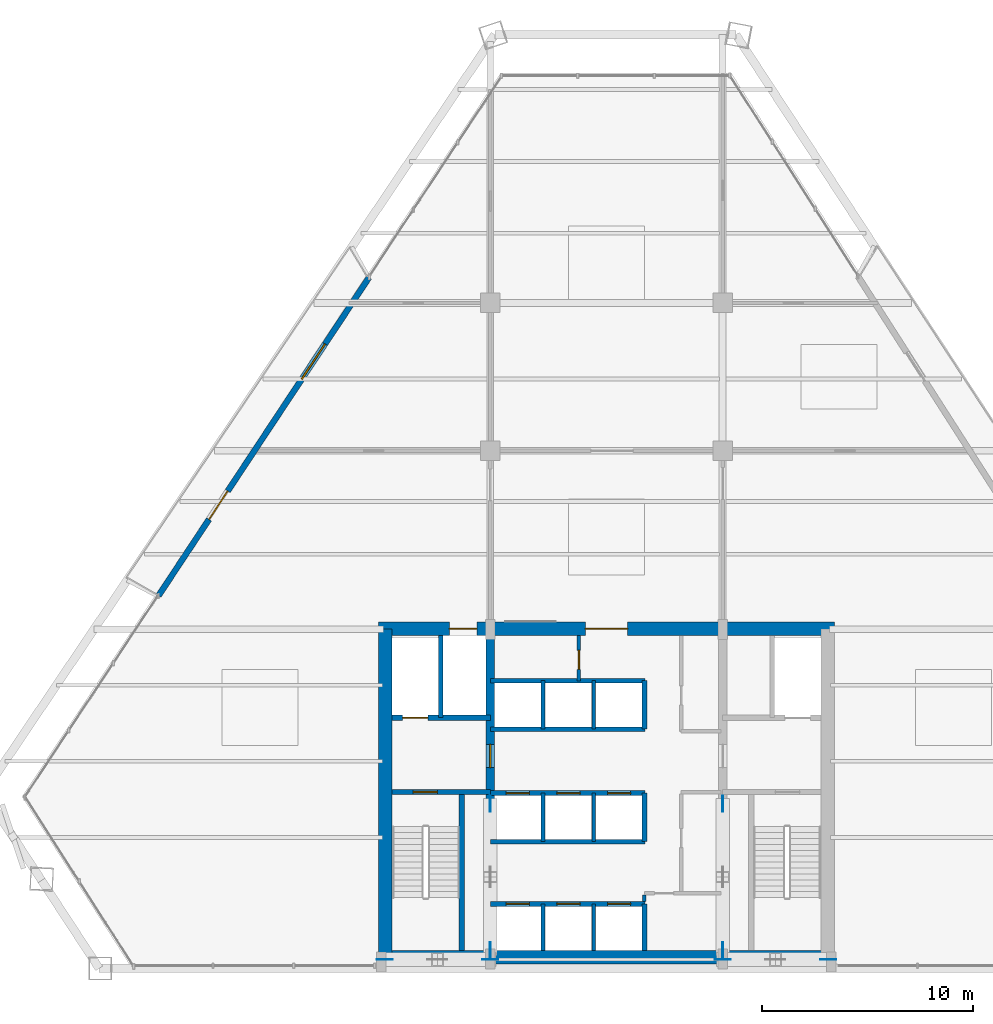
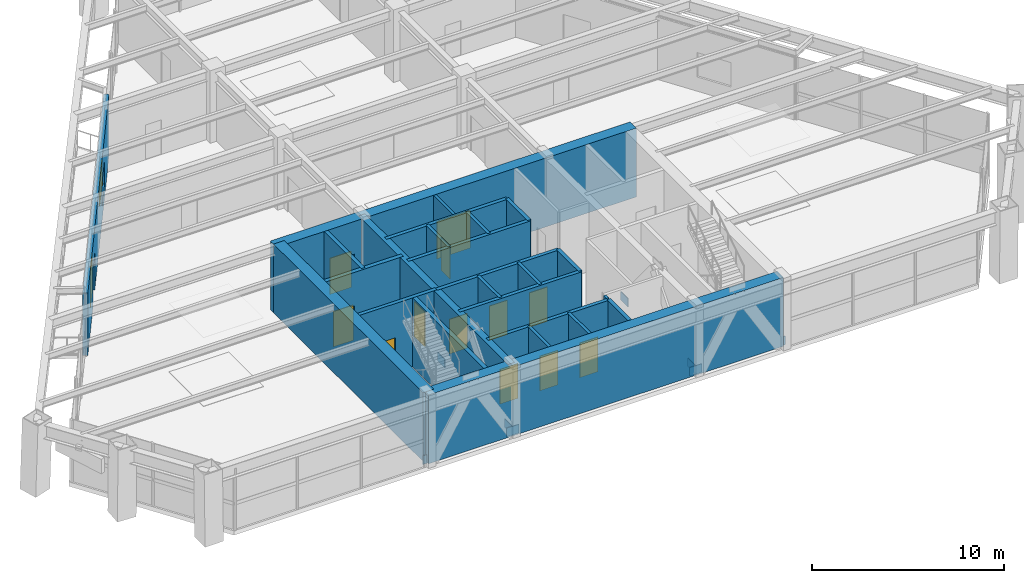
# One storey, part 8 of 12: 25 walls, 13 doors, 8 plates, 1 window, 14 openings.
"""IFC4 building model written with IfcOpenShell, lengths in metres."""

from ifc_helpers import new_model, si_unit, direction, frame, frame_2d, origin, origin_2d, place, context, subcontext, project, spatial, rectangle, extrude, source, transform, mapped, material, layer, layer_set, type_object, type_shapes, element, fill, save


model = new_model("IFC4")

# Units and contexts
model_context = context("Model", 3, precision=1e-05, world=origin(), true_north=direction((0.0, 1.0)))
body_context = subcontext(model_context, "Body", "Model", "MODEL_VIEW")
ifc_project = project(units=[si_unit("LENGTHUNIT", "METRE"), si_unit("AREAUNIT", "SQUARE_METRE"), si_unit("VOLUMEUNIT", "CUBIC_METRE"), si_unit("PLANEANGLEUNIT", "RADIAN"), si_unit("MASSUNIT", "GRAM", prefix="KILO")], contexts=[model_context])

# Site, building, storey
site_placement = place(None, origin())
site = spatial("IfcSite", under=ifc_project, at=site_placement, CompositionType="ELEMENT")
building_placement = place(site_placement, origin())
building = spatial("IfcBuilding", under=site, at=building_placement, Name="Varnakhor Terracotta Tower", CompositionType="ELEMENT")
storey_placement = place(building_placement, frame((0.0, 0.0, 121.0)))
storey = spatial("IfcBuildingStorey", under=building, at=storey_placement, Name="L30", CompositionType="ELEMENT", Elevation=121.0)

# Plates
ifc_material_1 = material(Name="Steel S460", Category="steel")
ifc_layer_1 = layer(ifc_material_1, 0.050048828125, Name="Steel S460")
ifc_layer_set_1 = layer_set([ifc_layer_1], Name="Steel S460")
plate_type = type_object("IfcPlateType", Name="PLT-GUSSET-50", PredefinedType="USERDEFINED", material=ifc_layer_set_1)
shared_shape_1 = source(origin(), body_context, "Body", "SweptSolid", [
    extrude(rectangle(XDim=0.75, YDim=0.0400390625, at=origin_2d()), origin(), (0.0, 0.0, 1.0), 0.550048828125),
])
type_shapes(plate_type, [shared_shape_1])
for number, where, z_axis, x_axis, name in (
    (1, (-10.5, 0.419921875, -0.09521484375), (0.0, 0.0, 1.0), (1.0, 0.0, 0.0), "L30 Core Brace Embed Plate CSWA"),
    (2, (-5.5, 0.419921875, -0.09521484375), (0.0, 0.0, 1.0), (1.0, 0.0, 0.0), "L30 Core Brace Embed Plate CSWB"),
    (3, (5.5, 0.419921875, -0.09521484375), (0.0, 0.0, 1.0), (1.0, 0.0, 0.0), "L30 Core Brace Embed Plate CSEA"),
    (4, (10.5, 0.419921875, -0.09521484375), (0.0, 0.0, 1.0), (1.0, 0.0, 0.0), "L30 Core Brace Embed Plate CSEB"),
    (5, (-5.5, 0.85009765625, -0.09521484375), (0.0, 0.0, 1.0), (0.0, 1.0, 0.0), "L30 Core Brace Embed Plate CWWA"),
    (6, (-5.5, 7.800048828125, -0.09521484375), (0.0, 0.0, 1.0), (0.0, 1.0, 0.0), "L30 Core Brace Embed Plate CWWB"),
    (7, (5.5, 0.85009765625, -0.09521484375), (0.0, 0.0, 1.0), (0.0, 1.0, 0.0), "L30 Core Brace Embed Plate CWEA"),
    (8, (5.5, 7.800048828125, -0.09521484375), (0.0, 0.0, 1.0), (0.0, 1.0, 0.0), "L30 Core Brace Embed Plate CWEB"),
):
    element("IfcPlate", number, at=place(storey_placement, frame(where, z_axis=z_axis, x_axis=x_axis)), inside=storey, type_object=plate_type, Name=name, ObjectType="GUSSET PLATE", PredefinedType="USERDEFINED", context=body_context, shape_type="MappedRepresentation", body=[
        mapped(shared_shape_1, transform((0.0, 0.0, 0.0), scale=1.0)),
    ])

# Wall
ifc_material_2 = material(Name="Concrete C50/60", Category="concrete")
ifc_layer_2 = layer(ifc_material_2, 0.64990234375, Name="Concrete C50/60")
ifc_layer_set_2 = layer_set([ifc_layer_2], Name="Concrete C50/60")
wall_type_1 = type_object("IfcWallType", Name="WAL-CORE-650", PredefinedType="SHEAR", material=ifc_layer_set_2)
wall_1_placement = place(storey_placement, frame((-10.64990234375, 0.52490234375, 0.0), z_axis=(0.0, 0.0, 1.0), x_axis=(1.0, 0.0, 0.0)))
element("IfcWall", 9, at=wall_1_placement, inside=storey, type_object=wall_type_1, Name="L30 South Core Shear Wall", PredefinedType="SHEAR", context=body_context, shape_type="SweptSolid", body=[
    extrude(rectangle(XDim=21.2998046875, YDim=0.64990234375, at=frame_2d((10.64990234375, 0.0))), origin(), (0.0, 0.0, 1.0), 4.3701171875),
])

# Wall, openings, doors
wall_2_placement = place(storey_placement, frame((-10.800048828125, 16.074951171875, 0.0), z_axis=(0.0, 0.0, 1.0), x_axis=(1.0, 0.0, 0.0)))
wall_2 = element("IfcWall", 10, at=wall_2_placement, inside=storey, type_object=wall_type_1, Name="L30 North Core Shear Wall", PredefinedType="SHEAR", context=body_context, shape_type="SweptSolid", body=[
    extrude(rectangle(XDim=21.60009765625, YDim=0.64990234375, at=frame_2d((10.800048828125, 0.0))), origin(), (0.0, 0.0, 1.0), 4.3701171875),
])
opening_1_placement = place(wall_2_placement, frame((3.3701171875, 0.0, 0.0)))
opening_1 = element("IfcOpeningElement", 11, at=opening_1_placement, cuts=wall_2, Name="Opening LD-03", PredefinedType="OPENING", context=body_context, shape_type="SweptSolid", body=[
    extrude(rectangle(XDim=1.300048828125, YDim=2.300048828125, at=frame_2d((0.64990234375, 1.14990234375))), frame((0.0, 0.3349609375, 0.0), z_axis=(0.0, -1.0, 0.0), x_axis=(1.0, 0.0, 0.0)), (0.0, 0.0, 1.0), 0.669921875),
])
opening_2_placement = place(wall_2_placement, frame((9.800048828125, 0.0, 0.0)))
opening_2 = element("IfcOpeningElement", 12, at=opening_2_placement, cuts=wall_2, Name="Opening DR-32", PredefinedType="OPENING", context=body_context, shape_type="SweptSolid", body=[
    extrude(rectangle(XDim=2.0, YDim=2.39990234375, at=frame_2d((1.0, 1.199951171875))), frame((0.0, 0.3349609375, 0.0), z_axis=(0.0, -1.0, 0.0), x_axis=(1.0, 0.0, 0.0)), (0.0, 0.0, 1.0), 0.669921875),
])
ifc_material_3 = material(Name="Heavy-Duty Goods Sliding Lift Landing Door", Category="steel")
door_type_1 = type_object("IfcDoorType", Name="LD-SRV-1300X2300", OperationType="NOTDEFINED", PredefinedType="DOOR", material=ifc_material_3)
shared_shape_2 = source(origin(), body_context, "Body", "SweptSolid", [
    extrude(rectangle(XDim=1.300048828125, YDim=2.300048828125, at=frame_2d((0.64990234375, 1.14990234375))), frame((0.0, 0.02490234375, 0.0), z_axis=(0.0, -1.0, 0.0), x_axis=(1.0, 0.0, 0.0)), (0.0, 0.0, 1.0), 0.050048828125),
])
type_shapes(door_type_1, [shared_shape_2])
door_1_placement = place(opening_1_placement, origin())
door_1 = element("IfcDoor", 13, at=door_1_placement, inside=storey, type_object=door_type_1, Name="L30 Service Lift SVL-1 Landing Door", OperationType="SLIDING_TO_RIGHT", OverallHeight=2.300048828125, OverallWidth=1.300048828125, PredefinedType="DOOR", context=body_context, shape_type="MappedRepresentation", body=[
    mapped(shared_shape_2, transform((0.0, 0.0, 0.0), scale=1.0)),
])
fill(opening_1, door_1)
ifc_material_4 = material(Name="Acoustic Double Assembly Fire Door", Category="wood")
door_type_2 = type_object("IfcDoorType", Name="DR-HALL-2000X2400", OperationType="NOTDEFINED", PredefinedType="DOOR", material=ifc_material_4)
shared_shape_3 = source(origin(), body_context, "Body", "SweptSolid", [
    extrude(rectangle(XDim=2.0, YDim=2.39990234375, at=frame_2d((1.0, 1.199951171875))), frame((0.0, 0.02490234375, 0.0), z_axis=(0.0, -1.0, 0.0), x_axis=(1.0, 0.0, 0.0)), (0.0, 0.0, 1.0), 0.050048828125),
])
type_shapes(door_type_2, [shared_shape_3])
door_2_placement = place(opening_2_placement, origin())
door_2 = element("IfcDoor", 14, at=door_2_placement, inside=storey, type_object=door_type_2, Name="L30 Core Main Lobby Double Door", OperationType="DOUBLE_DOOR_SINGLE_SWING", OverallHeight=2.39990234375, OverallWidth=2.0, PredefinedType="DOOR", context=body_context, shape_type="MappedRepresentation", body=[
    mapped(shared_shape_3, transform((0.0, 0.0, 0.0), scale=1.0)),
])
fill(opening_2, door_2)

# Wall
wall_3_placement = place(storey_placement, frame((-10.47509765625, 0.52490234375, 0.0), z_axis=(0.0, 0.0, 1.0), x_axis=(0.0, 1.0, 0.0)))
element("IfcWall", 15, at=wall_3_placement, inside=storey, type_object=wall_type_1, Name="L30 West Core Shear Wall", PredefinedType="SHEAR", context=body_context, shape_type="SweptSolid", body=[
    extrude(rectangle(XDim=15.550048828125, YDim=0.64990234375, at=frame_2d((7.77490234375, 0.0))), origin(), (0.0, 0.0, 1.0), 4.3701171875),
])

# Wall, opening, door
ifc_layer_3 = layer(ifc_material_2, 0.39990234375, Name="Concrete C50/60")
ifc_layer_set_3 = layer_set([ifc_layer_3], Name="Concrete C50/60")
wall_type_2 = type_object("IfcWallType", Name="WAL-CORE-WEB-400", PredefinedType="SHEAR", material=ifc_layer_set_3)
wall_4_placement = place(storey_placement, frame((-5.5, 0.52490234375, 0.0), z_axis=(0.0, 0.0, 1.0), x_axis=(0.0, 1.0, 0.0)))
wall_4 = element("IfcWall", 16, at=wall_4_placement, inside=storey, type_object=wall_type_2, Name="L30 West Core Web Shear Wall", PredefinedType="SHEAR", context=body_context, shape_type="SweptSolid", body=[
    extrude(rectangle(XDim=15.550048828125, YDim=0.39990234375, at=frame_2d((7.77490234375, 0.0))), origin(), (0.0, 0.0, 1.0), 4.3701171875),
])
opening_3_placement = place(wall_4_placement, frame((8.97509765625, 0.0, 0.0)))
opening_3 = element("IfcOpeningElement", 17, at=opening_3_placement, cuts=wall_4, Name="Opening DR-25", PredefinedType="OPENING", context=body_context, shape_type="SweptSolid", body=[
    extrude(rectangle(XDim=1.10009765625, YDim=2.199951171875, at=frame_2d((0.550048828125, 1.10009765625))), frame((0.0, 0.2099609375, 0.0), z_axis=(0.0, -1.0, 0.0), x_axis=(1.0, 0.0, 0.0)), (0.0, 0.0, 1.0), 0.419921875),
])
ifc_material_5 = material(Name="Firefighting Lobby Self-Closing Fire Door", Category="steel")
door_type_3 = type_object("IfcDoorType", Name="DR-FFL-1100X2200", OperationType="NOTDEFINED", PredefinedType="DOOR", material=ifc_material_5)
shared_shape_4 = source(origin(), body_context, "Body", "SweptSolid", [
    extrude(rectangle(XDim=1.10009765625, YDim=2.199951171875, at=frame_2d((0.550048828125, 1.10009765625))), frame((0.0, 0.02490234375, 0.0), z_axis=(0.0, -1.0, 0.0), x_axis=(1.0, 0.0, 0.0)), (0.0, 0.0, 1.0), 0.050048828125),
])
type_shapes(door_type_3, [shared_shape_4])
door_3_placement = place(opening_3_placement, origin())
door_3 = element("IfcDoor", 18, at=door_3_placement, inside=storey, type_object=door_type_3, Name="L30 West Firefighting Lobby Door", OperationType="SINGLE_SWING_RIGHT", OverallHeight=2.199951171875, OverallWidth=1.10009765625, PredefinedType="DOOR", context=body_context, shape_type="MappedRepresentation", body=[
    mapped(shared_shape_4, transform((0.0, 0.0, 0.0), scale=1.0)),
])
fill(opening_3, door_3)

# Wall, openings, door, window
ifc_material_6 = material(Name="Extruded Architectural Terracotta Assembly", Category="masonry")
ifc_layer_4 = layer(ifc_material_6, 0.280029296875, Name="Extruded Architectural Terracotta Assembly")
ifc_layer_set_4 = layer_set([ifc_layer_4], Name="Extruded Architectural Terracotta Assembly")
wall_type_3 = type_object("IfcWallType", Name="WAL-EXT-TERRACOTTA-280", PredefinedType="SOLIDWALL", material=ifc_layer_set_4)
wall_5_placement = place(storey_placement, frame((-21.20361328125, 17.64111328125, 0.0), z_axis=(0.0, 0.0, 1.0), x_axis=(0.551762134215, 0.834001527125, 0.0)))
wall_5 = element("IfcWall", 19, at=wall_5_placement, inside=storey, type_object=wall_type_3, Name="L30 W Loggia Insulated Terracotta Wall", PredefinedType="SOLIDWALL", context=body_context, shape_type="SweptSolid", body=[
    extrude(rectangle(XDim=18.065673828125, YDim=0.280029296875, at=frame_2d((9.03271484375, 0.0))), origin(), (0.0, 0.0, 1.0), 3.949951171875),
])
opening_4_placement = place(wall_5_placement, frame((4.335693359375, 0.0, 0.0)))
opening_4 = element("IfcOpeningElement", 20, at=opening_4_placement, cuts=wall_5, Name="Opening DR-62", PredefinedType="OPENING", context=body_context, shape_type="SweptSolid", body=[
    extrude(rectangle(XDim=1.60009765625, YDim=2.35009765625, at=frame_2d((0.800048828125, 1.175048828125))), frame((0.0, 0.14990234375, 0.0), z_axis=(0.0, -1.0, 0.0), x_axis=(1.0, 0.0, 0.0)), (0.0, 0.0, 1.0), 0.300048828125),
])
opening_5_placement = place(wall_5_placement, frame((12.284912109375, 0.0, 0.89990234375)))
opening_5 = element("IfcOpeningElement", 21, at=opening_5_placement, cuts=wall_5, Name="Opening WN-58", PredefinedType="OPENING", context=body_context, shape_type="SweptSolid", body=[
    extrude(rectangle(XDim=2.0, YDim=1.550048828125, at=frame_2d((1.0, 0.77490234375))), frame((0.0, 0.14990234375, 0.0), z_axis=(0.0, -1.0, 0.0), x_axis=(1.0, 0.0, 0.0)), (0.0, 0.0, 1.0), 0.300048828125),
])
ifc_material_7 = material(Name="Thermally Broken Sliding Glass Loggia Door", Category="glass")
door_type_4 = type_object("IfcDoorType", Name="DR-EXT-LOGGIA-1600X2350", OperationType="NOTDEFINED", PredefinedType="DOOR", material=ifc_material_7)
shared_shape_5 = source(origin(), body_context, "Body", "SweptSolid", [
    extrude(rectangle(XDim=1.60009765625, YDim=2.35009765625, at=frame_2d((0.800048828125, 1.175048828125))), frame((0.0, 0.02490234375, 0.0), z_axis=(0.0, -1.0, 0.0), x_axis=(1.0, 0.0, 0.0)), (0.0, 0.0, 1.0), 0.050048828125),
])
type_shapes(door_type_4, [shared_shape_5])
door_4_placement = place(opening_4_placement, origin())
door_4 = element("IfcDoor", 22, at=door_4_placement, inside=storey, type_object=door_type_4, Name="L30 W Recessed Loggia Sliding Door", OperationType="SLIDING_TO_LEFT", OverallHeight=2.35009765625, OverallWidth=1.60009765625, PredefinedType="DOOR", context=body_context, shape_type="MappedRepresentation", body=[
    mapped(shared_shape_5, transform((0.0, 0.0, 0.0), scale=1.0)),
])
fill(opening_4, door_4)
ifc_material_8 = material(Name="Solar-Control Low-E Insulated Glass Unit", Category="glass")
window_type = type_object("IfcWindowType", Name="WIN-SKY-2600X1600", PartitioningType="SINGLE_PANEL", PredefinedType="WINDOW", material=ifc_material_8)
shared_shape_6 = source(origin(), body_context, "Body", "SweptSolid", [
    extrude(rectangle(XDim=2.0, YDim=1.550048828125, at=frame_2d((1.0, 0.77490234375))), frame((0.0, 0.030029296875, 0.0), z_axis=(0.0, -1.0, 0.0), x_axis=(1.0, 0.0, 0.0)), (0.0, 0.0, 1.0), 0.06005859375),
])
type_shapes(window_type, [shared_shape_6])
window_placement = place(opening_5_placement, origin())
window = element("IfcWindow", 23, at=window_placement, inside=storey, type_object=window_type, Name="L30 W Facet Punched Window", OverallHeight=1.550048828125, OverallWidth=2.0, PartitioningType="SINGLE_PANEL", PredefinedType="WINDOW", context=body_context, shape_type="MappedRepresentation", body=[
    mapped(shared_shape_6, transform((0.0, 0.0, 0.0), scale=1.0)),
])
fill(opening_5, window)

# Wall, opening, door
ifc_material_9 = material(Name="Concrete C40/50", Category="concrete")
ifc_layer_5 = layer(ifc_material_9, 0.219970703125, Name="Concrete C40/50")
ifc_layer_set_5 = layer_set([ifc_layer_5], Name="Concrete C40/50")
wall_type_4 = type_object("IfcWallType", Name="WAL-FFLOBBY-220", PredefinedType="SOLIDWALL", material=ifc_layer_set_5)
wall_6_placement = place(storey_placement, frame((-5.5, 8.35009765625, 0.0), z_axis=(0.0, 0.0, 1.0), x_axis=(-1.0, 0.0, 0.0)))
wall_6 = element("IfcWall", 24, at=wall_6_placement, inside=storey, type_object=wall_type_4, Name="L30 West Firefighting Lobby Stair Wall", PredefinedType="SOLIDWALL", context=body_context, shape_type="SweptSolid", body=[
    extrude(rectangle(XDim=4.64990234375, YDim=0.219970703125, at=frame_2d((2.324951171875, 0.0))), origin(), (0.0, 0.0, 1.0), 4.3701171875),
])
opening_6_placement = place(wall_6_placement, frame((2.5, 0.0, 0.0)))
opening_6 = element("IfcOpeningElement", 25, at=opening_6_placement, cuts=wall_6, Name="Opening DR-34", PredefinedType="OPENING", context=body_context, shape_type="SweptSolid", body=[
    extrude(rectangle(XDim=1.14990234375, YDim=2.199951171875, at=frame_2d((0.574951171875, 1.10009765625))), frame((0.0, 0.1201171875, 0.0), z_axis=(0.0, -1.0, 0.0), x_axis=(1.0, 0.0, 0.0)), (0.0, 0.0, 1.0), 0.239990234375),
])
ifc_material_10 = material(Name="Self-Closing Smoke-Sealed Steel Fire Door", Category="steel")
door_type_5 = type_object("IfcDoorType", Name="DR-STAIR-1150X2200", OperationType="NOTDEFINED", PredefinedType="DOOR", material=ifc_material_10)
shared_shape_7 = source(origin(), body_context, "Body", "SweptSolid", [
    extrude(rectangle(XDim=1.14990234375, YDim=2.199951171875, at=frame_2d((0.574951171875, 1.10009765625))), frame((0.0, 0.02490234375, 0.0), z_axis=(0.0, -1.0, 0.0), x_axis=(1.0, 0.0, 0.0)), (0.0, 0.0, 1.0), 0.050048828125),
])
type_shapes(door_type_5, [shared_shape_7])
door_5_placement = place(opening_6_placement, origin())
door_5 = element("IfcDoor", 26, at=door_5_placement, inside=storey, type_object=door_type_5, Name="L30 Exit Stair ST-1 Fire Door", OperationType="SINGLE_SWING_LEFT", OverallHeight=2.199951171875, OverallWidth=1.14990234375, PredefinedType="DOOR", context=body_context, shape_type="MappedRepresentation", body=[
    mapped(shared_shape_7, transform((0.0, 0.0, 0.0), scale=1.0)),
])
fill(opening_6, door_5)

# Walls
ifc_layer_6 = layer(ifc_material_9, 0.179931640625, Name="Concrete C40/50")
ifc_layer_set_6 = layer_set([ifc_layer_6], Name="Concrete C40/50")
wall_type_5 = type_object("IfcWallType", Name="WAL-SHAFT-180", PredefinedType="SOLIDWALL", material=ifc_layer_set_6)
for number, where, z_axis, x_axis, name in (
    (27, (-3.0, 0.85009765625, 0.0), (0.0, 0.0, 1.0), (0.0, 1.0, 0.0), "L30 PL-1A Divider"),
    (28, (-0.60009765625, 0.85009765625, 0.0), (0.0, 0.0, 1.0), (0.0, 1.0, 0.0), "L30 PL-1B Divider"),
):
    element("IfcWall", number, at=place(storey_placement, frame(where, z_axis=z_axis, x_axis=x_axis)), inside=storey, type_object=wall_type_5, Name=name, PredefinedType="SOLIDWALL", context=body_context, shape_type="SweptSolid", body=[
        extrude(rectangle(XDim=2.199951171875, YDim=0.179931640625, at=frame_2d((1.10009765625, 0.0))), origin(), (0.0, 0.0, 1.0), 4.3701171875),
    ])
for number, where, z_axis, x_axis, name in (
    (29, (-3.0, 6.0, 0.0), (0.0, 0.0, 1.0), (0.0, 1.0, 0.0), "L30 PL-2A Divider"),
    (30, (-0.60009765625, 6.0, 0.0), (0.0, 0.0, 1.0), (0.0, 1.0, 0.0), "L30 PL-2B Divider"),
    (31, (-3.0, 11.320068359375, 0.0), (0.0, 0.0, 1.0), (0.0, 1.0, 0.0), "L30 PL-3A Divider"),
    (32, (-0.60009765625, 11.320068359375, 0.0), (0.0, 0.0, 1.0), (0.0, 1.0, 0.0), "L30 PL-3B Divider"),
):
    element("IfcWall", number, at=place(storey_placement, frame(where, z_axis=z_axis, x_axis=x_axis)), inside=storey, type_object=wall_type_5, Name=name, PredefinedType="SOLIDWALL", context=body_context, shape_type="SweptSolid", body=[
        extrude(rectangle(XDim=2.300048828125, YDim=0.179931640625, at=frame_2d((1.14990234375, 0.0))), origin(), (0.0, 0.0, 1.0), 4.3701171875),
    ])
ifc_layer_7 = layer(ifc_material_9, 0.219970703125, Name="Concrete C40/50")
ifc_layer_set_7 = layer_set([ifc_layer_7], Name="Concrete C40/50")
wall_type_6 = type_object("IfcWallType", Name="WAL-SHAFT-220", PredefinedType="SOLIDWALL", material=ifc_layer_set_7)
wall_7_placement = place(storey_placement, frame((-7.840087890625, 11.8701171875, 0.0), z_axis=(0.0, 0.0, 1.0), x_axis=(0.0, 1.0, 0.0)))
element("IfcWall", 33, at=wall_7_placement, inside=storey, type_object=wall_type_6, Name="L30 Lift FFL-1 and SVL-1 Divider Wall", PredefinedType="SOLIDWALL", context=body_context, shape_type="SweptSolid", body=[
    extrude(rectangle(XDim=3.8798828125, YDim=0.219970703125, at=frame_2d((1.93994140625, 0.0))), origin(), (0.0, 0.0, 1.0), 4.3701171875),
])

# Wall, openings, doors
wall_8_placement = place(storey_placement, frame((-5.5, 3.050048828125, 0.0), z_axis=(0.0, 0.0, 1.0), x_axis=(1.0, 0.0, 0.0)))
wall_8 = element("IfcWall", 34, at=wall_8_placement, inside=storey, type_object=wall_type_6, Name="L30 Bank 1 Lift Shaft Wall", PredefinedType="SOLIDWALL", context=body_context, shape_type="SweptSolid", body=[
    extrude(rectangle(XDim=7.320068359375, YDim=0.219970703125, at=frame_2d((3.66015625, 0.0))), origin(), (0.0, 0.0, 1.0), 4.3701171875),
])
opening_7_placement = place(wall_8_placement, frame((0.75, 0.0, 0.0)))
opening_7 = element("IfcOpeningElement", 35, at=opening_7_placement, cuts=wall_8, Name="Opening LD-01", PredefinedType="OPENING", context=body_context, shape_type="SweptSolid", body=[
    extrude(rectangle(XDim=1.10009765625, YDim=2.199951171875, at=frame_2d((0.550048828125, 1.10009765625))), frame((0.0, 0.1201171875, 0.0), z_axis=(0.0, -1.0, 0.0), x_axis=(1.0, 0.0, 0.0)), (0.0, 0.0, 1.0), 0.239990234375),
])
opening_8_placement = place(wall_8_placement, frame((3.14990234375, 0.0, 0.0)))
opening_8 = element("IfcOpeningElement", 36, at=opening_8_placement, cuts=wall_8, Name="Opening LD-01", PredefinedType="OPENING", context=body_context, shape_type="SweptSolid", body=[
    extrude(rectangle(XDim=1.10009765625, YDim=2.199951171875, at=frame_2d((0.550048828125, 1.10009765625))), frame((0.0, 0.1201171875, 0.0), z_axis=(0.0, -1.0, 0.0), x_axis=(1.0, 0.0, 0.0)), (0.0, 0.0, 1.0), 0.239990234375),
])
opening_9_placement = place(wall_8_placement, frame((5.550048828125, 0.0, 0.0)))
opening_9 = element("IfcOpeningElement", 37, at=opening_9_placement, cuts=wall_8, Name="Opening LD-01", PredefinedType="OPENING", context=body_context, shape_type="SweptSolid", body=[
    extrude(rectangle(XDim=1.10009765625, YDim=2.199951171875, at=frame_2d((0.550048828125, 1.10009765625))), frame((0.0, 0.1201171875, 0.0), z_axis=(0.0, -1.0, 0.0), x_axis=(1.0, 0.0, 0.0)), (0.0, 0.0, 1.0), 0.239990234375),
])
ifc_material_11 = material(Name="Brushed Stainless Steel Sliding Lift Landing Door", Category="steel")
door_type_6 = type_object("IfcDoorType", Name="LD-PASS-1100X2200", OperationType="NOTDEFINED", PredefinedType="DOOR", material=ifc_material_11)
shared_shape_8 = source(origin(), body_context, "Body", "SweptSolid", [
    extrude(rectangle(XDim=1.10009765625, YDim=2.199951171875, at=frame_2d((0.550048828125, 1.10009765625))), frame((0.0, 0.02490234375, 0.0), z_axis=(0.0, -1.0, 0.0), x_axis=(1.0, 0.0, 0.0)), (0.0, 0.0, 1.0), 0.050048828125),
])
type_shapes(door_type_6, [shared_shape_8])
door_6_placement = place(opening_7_placement, origin())
door_6 = element("IfcDoor", 38, at=door_6_placement, inside=storey, type_object=door_type_6, Name="L30 Passenger Lift PL-1A Landing Door", OperationType="SLIDING_TO_RIGHT", OverallHeight=2.199951171875, OverallWidth=1.10009765625, PredefinedType="DOOR", context=body_context, shape_type="MappedRepresentation", body=[
    mapped(shared_shape_8, transform((0.0, 0.0, 0.0), scale=1.0)),
])
fill(opening_7, door_6)
door_7_placement = place(opening_8_placement, origin())
door_7 = element("IfcDoor", 39, at=door_7_placement, inside=storey, type_object=door_type_6, Name="L30 Passenger Lift PL-1B Landing Door", OperationType="SLIDING_TO_RIGHT", OverallHeight=2.199951171875, OverallWidth=1.10009765625, PredefinedType="DOOR", context=body_context, shape_type="MappedRepresentation", body=[
    mapped(shared_shape_8, transform((0.0, 0.0, 0.0), scale=1.0)),
])
fill(opening_8, door_7)
door_8_placement = place(opening_9_placement, origin())
door_8 = element("IfcDoor", 40, at=door_8_placement, inside=storey, type_object=door_type_6, Name="L30 Passenger Lift PL-1C Landing Door", OperationType="SLIDING_TO_RIGHT", OverallHeight=2.199951171875, OverallWidth=1.10009765625, PredefinedType="DOOR", context=body_context, shape_type="MappedRepresentation", body=[
    mapped(shared_shape_8, transform((0.0, 0.0, 0.0), scale=1.0)),
])
fill(opening_9, door_8)

# Walls
wall_9_placement = place(storey_placement, frame((1.800048828125, 0.85009765625, 0.0), z_axis=(0.0, 0.0, 1.0), x_axis=(0.0, 1.0, 0.0)))
element("IfcWall", 41, at=wall_9_placement, inside=storey, type_object=wall_type_6, Name="L30 Bank 1 East Shaft Wall", PredefinedType="SOLIDWALL", context=body_context, shape_type="SweptSolid", body=[
    extrude(rectangle(XDim=2.199951171875, YDim=0.219970703125, at=frame_2d((1.10009765625, 0.0))), origin(), (0.0, 0.0, 1.0), 4.3701171875),
])
wall_10_placement = place(storey_placement, frame((-5.5, 6.0, 0.0), z_axis=(0.0, 0.0, 1.0), x_axis=(1.0, 0.0, 0.0)))
element("IfcWall", 42, at=wall_10_placement, inside=storey, type_object=wall_type_6, Name="L30 Bank 2 South Shaft Wall", PredefinedType="SOLIDWALL", context=body_context, shape_type="SweptSolid", body=[
    extrude(rectangle(XDim=7.320068359375, YDim=0.219970703125, at=frame_2d((3.66015625, 0.0))), origin(), (0.0, 0.0, 1.0), 4.3701171875),
])

# Wall, openings, doors
wall_11_placement = place(storey_placement, frame((-5.5, 8.300048828125, 0.0), z_axis=(0.0, 0.0, 1.0), x_axis=(1.0, 0.0, 0.0)))
wall_11 = element("IfcWall", 43, at=wall_11_placement, inside=storey, type_object=wall_type_6, Name="L30 Bank 2 North Shaft Wall", PredefinedType="SOLIDWALL", context=body_context, shape_type="SweptSolid", body=[
    extrude(rectangle(XDim=7.320068359375, YDim=0.219970703125, at=frame_2d((3.66015625, 0.0))), origin(), (0.0, 0.0, 1.0), 4.3701171875),
])
opening_10_placement = place(wall_11_placement, frame((0.75, 0.0, 0.0)))
opening_10 = element("IfcOpeningElement", 44, at=opening_10_placement, cuts=wall_11, Name="Opening LD-01", PredefinedType="OPENING", context=body_context, shape_type="SweptSolid", body=[
    extrude(rectangle(XDim=1.10009765625, YDim=2.199951171875, at=frame_2d((0.550048828125, 1.10009765625))), frame((0.0, 0.1201171875, 0.0), z_axis=(0.0, -1.0, 0.0), x_axis=(1.0, 0.0, 0.0)), (0.0, 0.0, 1.0), 0.239990234375),
])
opening_11_placement = place(wall_11_placement, frame((3.14990234375, 0.0, 0.0)))
opening_11 = element("IfcOpeningElement", 45, at=opening_11_placement, cuts=wall_11, Name="Opening LD-01", PredefinedType="OPENING", context=body_context, shape_type="SweptSolid", body=[
    extrude(rectangle(XDim=1.10009765625, YDim=2.199951171875, at=frame_2d((0.550048828125, 1.10009765625))), frame((0.0, 0.1201171875, 0.0), z_axis=(0.0, -1.0, 0.0), x_axis=(1.0, 0.0, 0.0)), (0.0, 0.0, 1.0), 0.239990234375),
])
opening_12_placement = place(wall_11_placement, frame((5.550048828125, 0.0, 0.0)))
opening_12 = element("IfcOpeningElement", 46, at=opening_12_placement, cuts=wall_11, Name="Opening LD-01", PredefinedType="OPENING", context=body_context, shape_type="SweptSolid", body=[
    extrude(rectangle(XDim=1.10009765625, YDim=2.199951171875, at=frame_2d((0.550048828125, 1.10009765625))), frame((0.0, 0.1201171875, 0.0), z_axis=(0.0, -1.0, 0.0), x_axis=(1.0, 0.0, 0.0)), (0.0, 0.0, 1.0), 0.239990234375),
])
door_9_placement = place(opening_10_placement, origin())
door_9 = element("IfcDoor", 47, at=door_9_placement, inside=storey, type_object=door_type_6, Name="L30 Passenger Lift PL-2A Landing Door", OperationType="SLIDING_TO_LEFT", OverallHeight=2.199951171875, OverallWidth=1.10009765625, PredefinedType="DOOR", context=body_context, shape_type="MappedRepresentation", body=[
    mapped(shared_shape_8, transform((0.0, 0.0, 0.0), scale=1.0)),
])
fill(opening_10, door_9)
door_10_placement = place(opening_11_placement, origin())
door_10 = element("IfcDoor", 48, at=door_10_placement, inside=storey, type_object=door_type_6, Name="L30 Passenger Lift PL-2B Landing Door", OperationType="SLIDING_TO_LEFT", OverallHeight=2.199951171875, OverallWidth=1.10009765625, PredefinedType="DOOR", context=body_context, shape_type="MappedRepresentation", body=[
    mapped(shared_shape_8, transform((0.0, 0.0, 0.0), scale=1.0)),
])
fill(opening_11, door_10)
door_11_placement = place(opening_12_placement, origin())
door_11 = element("IfcDoor", 49, at=door_11_placement, inside=storey, type_object=door_type_6, Name="L30 Passenger Lift PL-2C Landing Door", OperationType="SLIDING_TO_LEFT", OverallHeight=2.199951171875, OverallWidth=1.10009765625, PredefinedType="DOOR", context=body_context, shape_type="MappedRepresentation", body=[
    mapped(shared_shape_8, transform((0.0, 0.0, 0.0), scale=1.0)),
])
fill(opening_12, door_11)

# Walls
wall_12_placement = place(storey_placement, frame((1.800048828125, 6.0, 0.0), z_axis=(0.0, 0.0, 1.0), x_axis=(0.0, 1.0, 0.0)))
element("IfcWall", 50, at=wall_12_placement, inside=storey, type_object=wall_type_6, Name="L30 Bank 2 East Shaft Wall", PredefinedType="SOLIDWALL", context=body_context, shape_type="SweptSolid", body=[
    extrude(rectangle(XDim=2.300048828125, YDim=0.219970703125, at=frame_2d((1.14990234375, 0.0))), origin(), (0.0, 0.0, 1.0), 4.3701171875),
])
for number, where, z_axis, x_axis, name in (
    (51, (-5.5, 11.320068359375, 0.0), (0.0, 0.0, 1.0), (1.0, 0.0, 0.0), "L30 Bank 3 South Shaft Wall"),
    (52, (-5.5, 13.6201171875, 0.0), (0.0, 0.0, 1.0), (1.0, 0.0, 0.0), "L30 Bank 3 North Shaft Wall"),
):
    element("IfcWall", number, at=place(storey_placement, frame(where, z_axis=z_axis, x_axis=x_axis)), inside=storey, type_object=wall_type_6, Name=name, PredefinedType="SOLIDWALL", context=body_context, shape_type="SweptSolid", body=[
        extrude(rectangle(XDim=7.320068359375, YDim=0.219970703125, at=frame_2d((3.66015625, 0.0))), origin(), (0.0, 0.0, 1.0), 4.3701171875),
    ])
wall_13_placement = place(storey_placement, frame((1.800048828125, 11.320068359375, 0.0), z_axis=(0.0, 0.0, 1.0), x_axis=(0.0, 1.0, 0.0)))
element("IfcWall", 53, at=wall_13_placement, inside=storey, type_object=wall_type_6, Name="L30 Bank 3 East Shaft Wall", PredefinedType="SOLIDWALL", context=body_context, shape_type="SweptSolid", body=[
    extrude(rectangle(XDim=2.300048828125, YDim=0.219970703125, at=frame_2d((1.14990234375, 0.0))), origin(), (0.0, 0.0, 1.0), 4.3701171875),
])
ifc_layer_8 = layer(ifc_material_9, 0.25, Name="Concrete C40/50")
ifc_layer_set_8 = layer_set([ifc_layer_8], Name="Concrete C40/50")
wall_type_7 = type_object("IfcWallType", Name="WAL-SHAFT-250", PredefinedType="SOLIDWALL", material=ifc_layer_set_8)
wall_14_placement = place(storey_placement, frame((-6.85009765625, 0.85009765625, 0.0), z_axis=(0.0, 0.0, 1.0), x_axis=(0.0, 1.0, 0.0)))
element("IfcWall", 54, at=wall_14_placement, inside=storey, type_object=wall_type_7, Name="L30 Stair ST-1 Bearing Shaft Wall", PredefinedType="SOLIDWALL", context=body_context, shape_type="SweptSolid", body=[
    extrude(rectangle(XDim=7.5, YDim=0.25, at=frame_2d((3.75, 0.0))), origin(), (0.0, 0.0, 1.0), 4.3701171875),
])

# Wall, opening, door
wall_15_placement = place(storey_placement, frame((-5.5, 11.8701171875, 0.0), z_axis=(0.0, 0.0, 1.0), x_axis=(-1.0, 0.0, 0.0)))
wall_15 = element("IfcWall", 55, at=wall_15_placement, inside=storey, type_object=wall_type_7, Name="L30 Lift FFL-1 Shaft Front Wall", PredefinedType="SOLIDWALL", context=body_context, shape_type="SweptSolid", body=[
    extrude(rectangle(XDim=4.64990234375, YDim=0.25, at=frame_2d((2.324951171875, 0.0))), origin(), (0.0, 0.0, 1.0), 4.3701171875),
])
opening_13_placement = place(wall_15_placement, frame((2.949951171875, 0.0, 0.0)))
opening_13 = element("IfcOpeningElement", 56, at=opening_13_placement, cuts=wall_15, Name="Opening LD-02", PredefinedType="OPENING", context=body_context, shape_type="SweptSolid", body=[
    extrude(rectangle(XDim=1.199951171875, YDim=2.25, at=frame_2d((0.60009765625, 1.125))), frame((0.0, 0.135009765625, 0.0), z_axis=(0.0, -1.0, 0.0), x_axis=(1.0, 0.0, 0.0)), (0.0, 0.0, 1.0), 0.27001953125),
])
ifc_material_12 = material(Name="Firefighting Stretcher Sliding Lift Landing Door", Category="steel")
door_type_7 = type_object("IfcDoorType", Name="LD-FFL-1200X2250", OperationType="NOTDEFINED", PredefinedType="DOOR", material=ifc_material_12)
shared_shape_9 = source(origin(), body_context, "Body", "SweptSolid", [
    extrude(rectangle(XDim=1.199951171875, YDim=2.25, at=frame_2d((0.60009765625, 1.125))), frame((0.0, 0.02490234375, 0.0), z_axis=(0.0, -1.0, 0.0), x_axis=(1.0, 0.0, 0.0)), (0.0, 0.0, 1.0), 0.050048828125),
])
type_shapes(door_type_7, [shared_shape_9])
door_12_placement = place(opening_13_placement, origin())
door_12 = element("IfcDoor", 57, at=door_12_placement, inside=storey, type_object=door_type_7, Name="L30 Firefighting Lift FFL-1 Landing Door", OperationType="SLIDING_TO_LEFT", OverallHeight=2.25, OverallWidth=1.199951171875, PredefinedType="DOOR", context=body_context, shape_type="MappedRepresentation", body=[
    mapped(shared_shape_9, transform((0.0, 0.0, 0.0), scale=1.0)),
])
fill(opening_13, door_12)

# Wall
ifc_material_13 = material(Name="Acoustic Fire-Rated Partition", Category="gypsum")
ifc_layer_9 = layer(ifc_material_13, 0.1650390625, Name="Acoustic Fire-Rated Partition")
ifc_layer_set_9 = layer_set([ifc_layer_9], Name="Acoustic Fire-Rated Partition")
wall_type_8 = type_object("IfcWallType", Name="WAL-TENANCY-165", PredefinedType="PARTITIONING", material=ifc_layer_set_9)
wall_16_placement = place(storey_placement, frame((1.800048828125, 3.159912109375, 0.0), z_axis=(0.0, 0.0, 1.0), x_axis=(0.0, 1.0, 0.0)))
element("IfcWall", 58, at=wall_16_placement, inside=storey, type_object=wall_type_8, Name="L30 Core South West Return Wall", PredefinedType="PARTITIONING", context=body_context, shape_type="SweptSolid", body=[
    extrude(rectangle(XDim=0.3076171875, YDim=0.1650390625, at=frame_2d((0.15380859375, 0.0))), origin(), (0.0, 0.0, 1.0), 4.362060546875),
])

# Wall, opening, door
wall_17_placement = place(storey_placement, frame((-1.300048828125, 13.60009765625, 0.0), z_axis=(0.0, 0.0, 1.0), x_axis=(0.0, 1.0, 0.0)))
wall_17 = element("IfcWall", 59, at=wall_17_placement, inside=storey, type_object=wall_type_8, Name="L30 Male Restroom Wall", PredefinedType="PARTITIONING", context=body_context, shape_type="SweptSolid", body=[
    extrude(rectangle(XDim=2.14990234375, YDim=0.1650390625, at=frame_2d((1.074951171875, 0.0))), origin(), (0.0, 0.0, 1.0), 4.362060546875),
])
opening_14_placement = place(wall_17_placement, frame((0.550048828125, 0.0, 0.0)))
opening_14 = element("IfcOpeningElement", 60, at=opening_14_placement, cuts=wall_17, Name="Opening DR-67", PredefinedType="OPENING", context=body_context, shape_type="SweptSolid", body=[
    extrude(rectangle(XDim=0.89990234375, YDim=2.10009765625, at=frame_2d((0.449951171875, 1.050048828125))), frame((0.0, 0.092529296875, 0.0), z_axis=(0.0, -1.0, 0.0), x_axis=(1.0, 0.0, 0.0)), (0.0, 0.0, 1.0), 0.18505859375),
])
ifc_material_14 = material(Name="Steel Service Riser Fire Door", Category="steel")
door_type_8 = type_object("IfcDoorType", Name="DR-RISER-900X2100", OperationType="NOTDEFINED", PredefinedType="DOOR", material=ifc_material_14)
shared_shape_10 = source(origin(), body_context, "Body", "SweptSolid", [
    extrude(rectangle(XDim=0.89990234375, YDim=2.10009765625, at=frame_2d((0.449951171875, 1.050048828125))), frame((0.0, 0.02490234375, 0.0), z_axis=(0.0, -1.0, 0.0), x_axis=(1.0, 0.0, 0.0)), (0.0, 0.0, 1.0), 0.050048828125),
])
type_shapes(door_type_8, [shared_shape_10])
door_13_placement = place(opening_14_placement, origin())
door_13 = element("IfcDoor", 61, at=door_13_placement, inside=storey, type_object=door_type_8, Name="L30 Male WC Door", OperationType="SINGLE_SWING_LEFT", OverallHeight=2.10009765625, OverallWidth=0.89990234375, PredefinedType="DOOR", context=body_context, shape_type="MappedRepresentation", body=[
    mapped(shared_shape_10, transform((0.0, 0.0, 0.0), scale=1.0)),
])
fill(opening_14, door_13)

save(model, "model.ifc")
